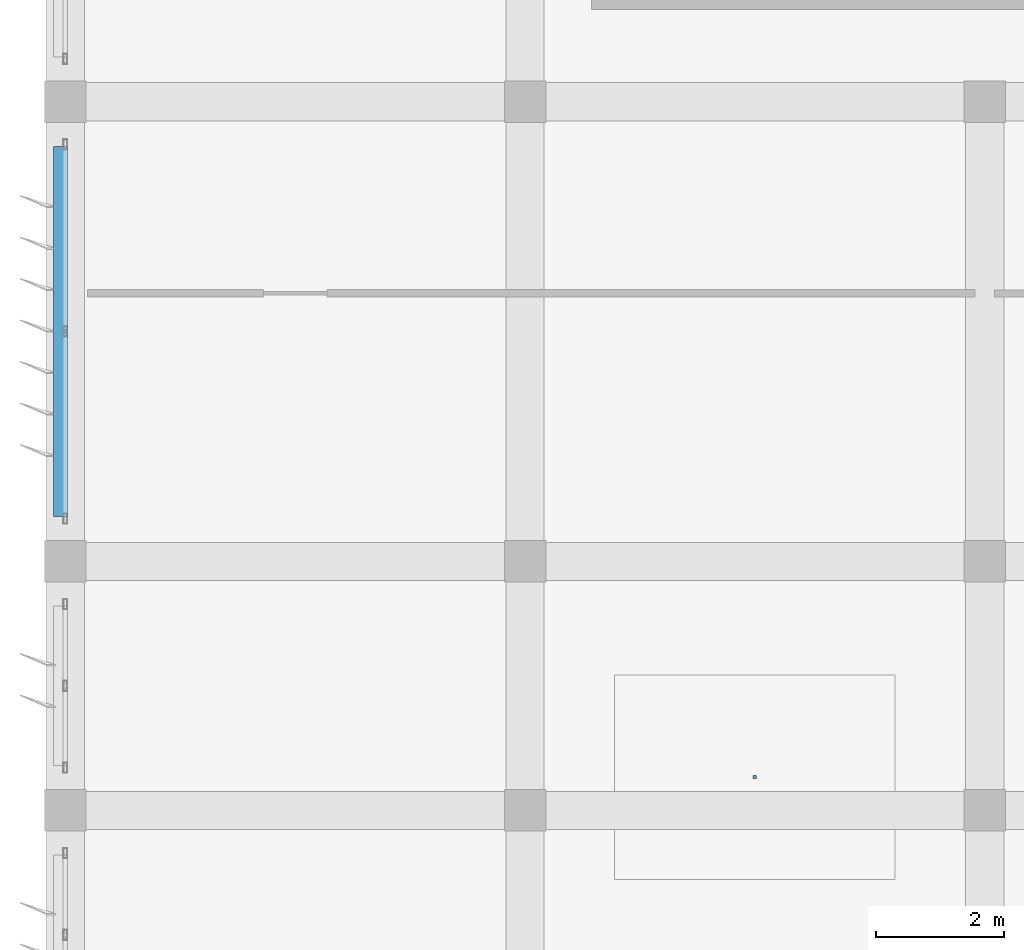
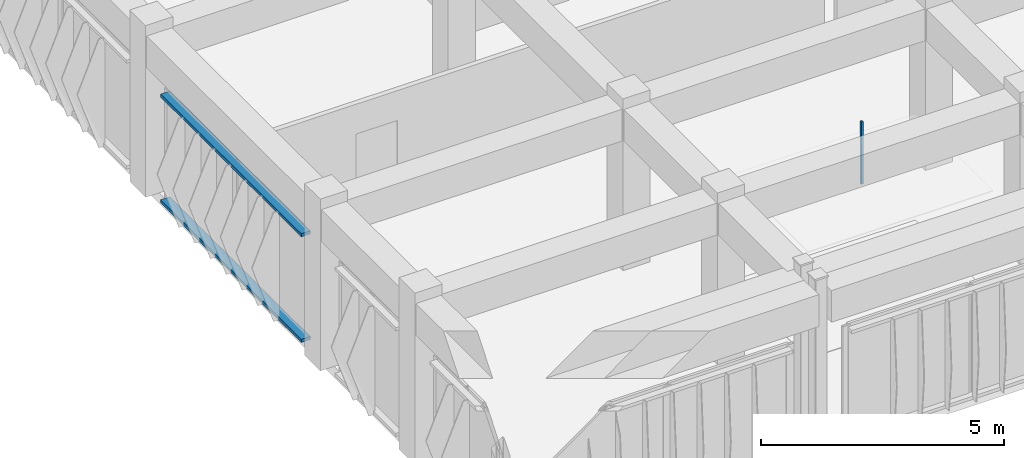
# One storey, part 31 of 42: 3 discrete accessories.
"""IFC4 building model written with IfcOpenShell, lengths in metres."""

from ifc_helpers import new_model, si_unit, direction, frame, origin, origin_2d, place, context, subcontext, project, spatial, rectangle, extrude, material, type_object, element, save


model = new_model("IFC4")

# Units and contexts
model_context = context("Model", 3, precision=1e-05, world=origin(), true_north=direction((0.0, 1.0)))
body_context = subcontext(model_context, "Body", "Model", "MODEL_VIEW")
ifc_project = project(units=[si_unit("LENGTHUNIT", "METRE"), si_unit("AREAUNIT", "SQUARE_METRE"), si_unit("VOLUMEUNIT", "CUBIC_METRE"), si_unit("PLANEANGLEUNIT", "RADIAN"), si_unit("MASSUNIT", "GRAM", prefix="KILO")], contexts=[model_context])

# Site, building, storey
site_placement = place(None, origin())
site = spatial("IfcSite", under=ifc_project, at=site_placement, CompositionType="ELEMENT")
building_placement = place(site_placement, origin())
building = spatial("IfcBuilding", under=site, at=building_placement, Name="Kazehaya Institute of Natural Sciences", CompositionType="ELEMENT")
storey_placement = place(building_placement, frame((0.0, 0.0, 37.6201171875)))
storey = spatial("IfcBuildingStorey", under=building, at=storey_placement, Name="L08", CompositionType="ELEMENT", Elevation=37.6201171875)

# Discrete accessories
ifc_material_1 = material(Name="Aluminium alloy A6063S-T5", Category="aluminium")
discrete_accessory_type_1 = type_object("IfcDiscreteAccessoryType", Name="ACC-BRK-01", PredefinedType="BRACKET", material=ifc_material_1)
for number, where, z_axis, x_axis, name in (
    (1, (54.52490234375, 17.60009765625, 0.039794921875), (0.0, 0.0, 1.0), (0.0, 1.0, 0.0), "L08 fin support outrigger rail 1"),
    (2, (54.52490234375, 17.60009765625, 2.699951171875), (0.0, 0.0, 1.0), (0.0, 1.0, 0.0), "L08 fin support outrigger rail 2"),
):
    element("IfcDiscreteAccessory", number, at=place(storey_placement, frame(where, z_axis=z_axis, x_axis=x_axis)), inside=storey, type_object=discrete_accessory_type_1, Name=name, PredefinedType="BRACKET", context=body_context, shape_type="SweptSolid", body=[
        extrude(rectangle(XDim=5.800048828125, YDim=0.219970703125, at=origin_2d()), origin(), (0.0, 0.0, 1.0), 0.080078125),
    ])
ifc_material_2 = material(Name="Structural steel SN490B", Category="steel")
discrete_accessory_type_2 = type_object("IfcDiscreteAccessoryType", Name="ACC-CLG-HGR", PredefinedType="BRACKET", material=ifc_material_2)
discrete_accessory_placement = place(storey_placement, frame((65.39892578125, 10.621826171875, 2.672607421875), z_axis=(0.0, 0.0, 1.0), x_axis=(1.0, 0.0, 0.0)))
element("IfcDiscreteAccessory", 3, at=discrete_accessory_placement, inside=storey, type_object=discrete_accessory_type_2, Name="L08 ceiling suspension hanger 69", PredefinedType="BRACKET", context=body_context, shape_type="SweptSolid", body=[
    extrude(rectangle(XDim=0.050048828125, YDim=0.050048828125, at=origin_2d()), origin(), (0.0, 0.0, 1.0), 1.5673828125),
])

save(model, "model.ifc")
